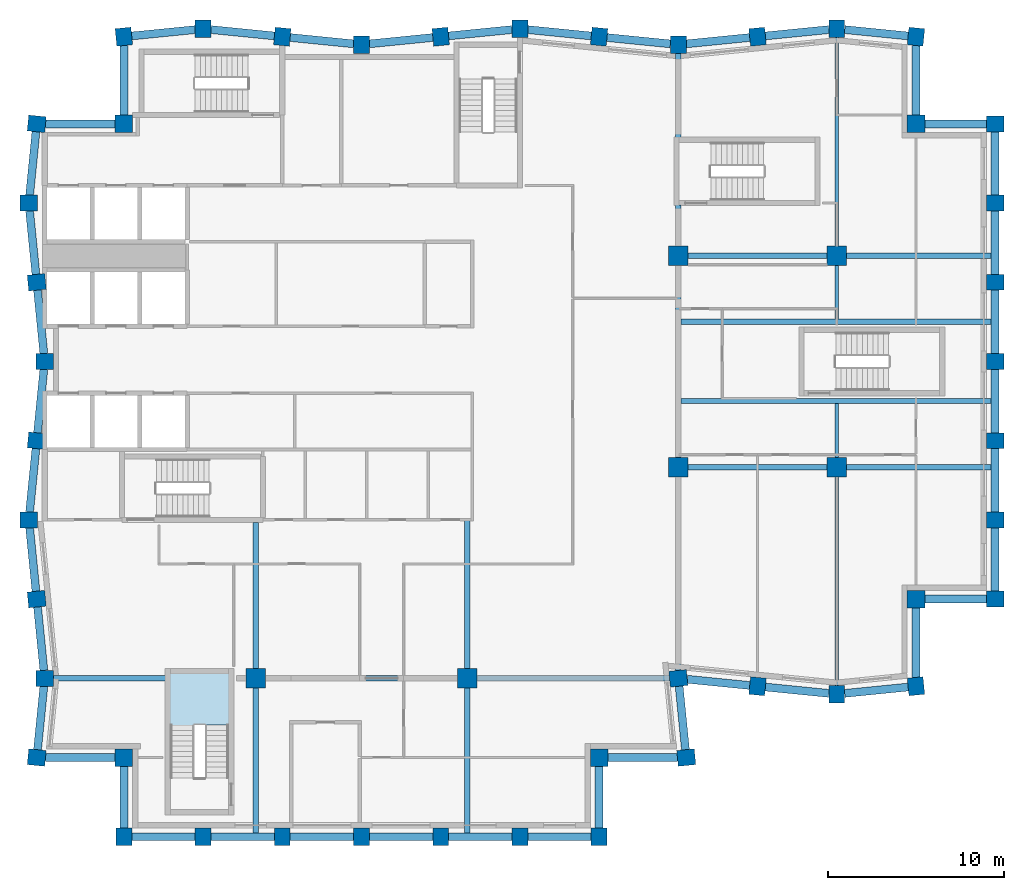
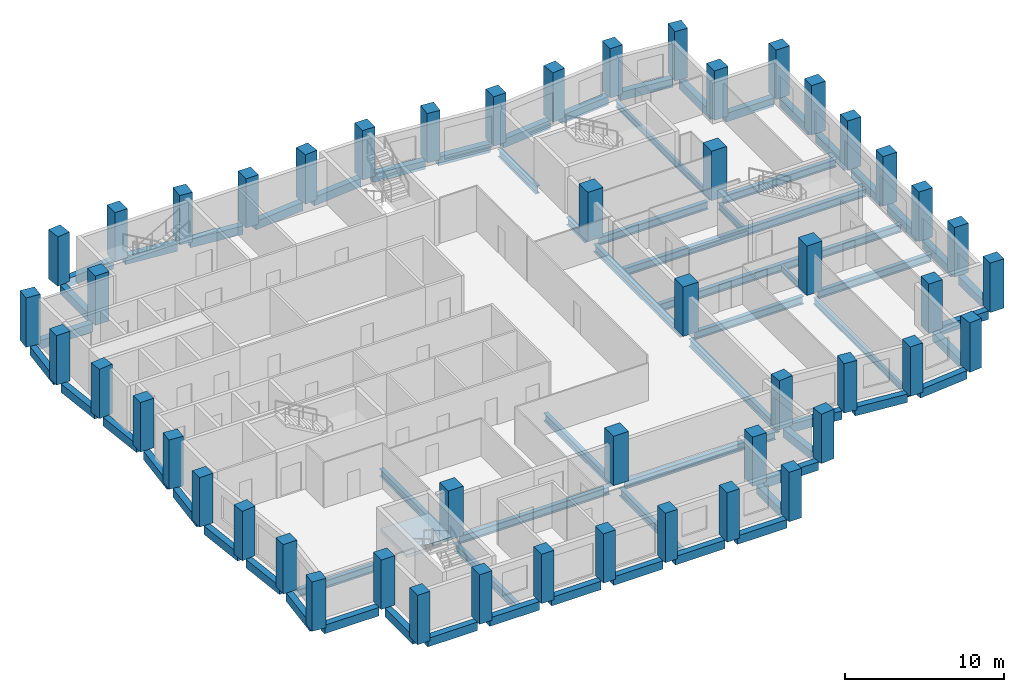
# One storey, part 1 of 8: 65 beams, 50 columns, 1 slab, 1 element without a shape of its own.
"""IFC4 building model written with IfcOpenShell, lengths in metres."""

from ifc_helpers import new_model, si_unit, direction, frame, origin, origin_2d, place, context, subcontext, project, spatial, polyline, rectangle, i_section, outline, extrude, material, layer, layer_set, material_profile, profile_set, type_object, element, aggregate, save


model = new_model("IFC4")

# Units and contexts
model_context = context("Model", 3, precision=1e-05, world=origin(), true_north=direction((0.0, 1.0)))
body_context = subcontext(model_context, "Body", "Model", "MODEL_VIEW")
ifc_project = project(units=[si_unit("LENGTHUNIT", "METRE"), si_unit("AREAUNIT", "SQUARE_METRE"), si_unit("VOLUMEUNIT", "CUBIC_METRE"), si_unit("PLANEANGLEUNIT", "RADIAN"), si_unit("MASSUNIT", "GRAM", prefix="KILO")], contexts=[model_context])

# Site, building, storey
site_placement = place(None, origin())
site = spatial("IfcSite", under=ifc_project, at=site_placement, CompositionType="ELEMENT")
building_placement = place(site_placement, origin())
building = spatial("IfcBuilding", under=site, at=building_placement, Name="Brondeck Convention Tower", CompositionType="ELEMENT")
storey_placement = place(building_placement, frame((0.0, 0.0, 221.60009765625)))
storey = spatial("IfcBuildingStorey", under=building, at=storey_placement, Name="L54", CompositionType="ELEMENT", Elevation=221.60009765625)

# Columns
ifc_material_1 = material(Name="Concrete C50/60", Category="concrete")
ifc_material_profile_1 = material_profile(ifc_material_1, rectangle(XDim=1.0, YDim=1.0, at=origin_2d()), Name="Corner column 1000x1000 Concrete C50/60")
ifc_profile_set_1 = profile_set([ifc_material_profile_1], Name="Concrete C50/60")
column_type_1 = type_object("IfcColumnType", Name="Corner column 1000x1000 Concrete C50/60", PredefinedType="COLUMN", material=ifc_profile_set_1)
for number, where, z_axis, x_axis, name in (
    (1, (4.5, 22.5, 0.0), (0.0, 0.0, 1.0), (1.0, 0.0, 0.0), "STR-COL-L54-NC-SWB18"),
    (2, (31.5, 22.5, 0.0), (0.0, 0.0, 1.0), (1.0, 0.0, 0.0), "STR-COL-L54-NC-SEB18"),
    (3, (49.5, 31.5, 0.0), (0.0, 0.0, 1.0), (1.0, 0.0, 0.0), "STR-COL-L54-NC-SEA54"),
    (4, (49.5, 58.5, 0.0), (0.0, 0.0, 1.0), (1.0, 0.0, 0.0), "STR-COL-L54-NC-NEA54"),
    (5, (4.5, 58.5, 0.0), (0.0, 0.0, 1.0), (1.0, 0.0, 0.0), "STR-COL-L54-NC-NW"),
):
    element("IfcColumn", number, at=place(storey_placement, frame(where, z_axis=z_axis, x_axis=x_axis)), inside=storey, type_object=column_type_1, Name=name, PredefinedType="COLUMN", context=body_context, shape_type="SweptSolid", body=[
        extrude(rectangle(XDim=1.0, YDim=1.0, at=origin_2d()), origin(), (0.0, 0.0, 1.0), 3.7998046875),
    ])
ifc_material_profile_2 = material_profile(ifc_material_1, rectangle(XDim=1.10009765625, YDim=1.10009765625, at=origin_2d()), Name="Interior column 1100x1100 Concrete C50/60")
ifc_profile_set_2 = profile_set([ifc_material_profile_2], Name="Concrete C50/60")
column_type_2 = type_object("IfcColumnType", Name="Interior column 1100x1100 Concrete C50/60", PredefinedType="COLUMN", material=ifc_profile_set_2)
for number, where, z_axis, x_axis, name in (
    (6, (12.0, 27.0, 0.0), (0.0, 0.0, 1.0), (1.0, 0.0, 0.0), "STR-COL-L54-IC-03"),
    (7, (24.0, 27.0, 0.0), (0.0, 0.0, 1.0), (1.0, 0.0, 0.0), "STR-COL-L54-IC-06"),
    (8, (36.0, 39.0, 0.0), (0.0, 0.0, 1.0), (1.0, 0.0, 0.0), "STR-COL-L54-IC-07"),
    (9, (36.0, 51.0, 0.0), (0.0, 0.0, 1.0), (1.0, 0.0, 0.0), "STR-COL-L54-IC-08"),
    (10, (45.0, 39.0, 0.0), (0.0, 0.0, 1.0), (1.0, 0.0, 0.0), "STR-COL-L54-IC-09"),
    (11, (45.0, 51.0, 0.0), (0.0, 0.0, 1.0), (1.0, 0.0, 0.0), "STR-COL-L54-IC-10"),
):
    element("IfcColumn", number, at=place(storey_placement, frame(where, z_axis=z_axis, x_axis=x_axis)), inside=storey, type_object=column_type_2, Name=name, PredefinedType="COLUMN", context=body_context, shape_type="SweptSolid", body=[
        extrude(rectangle(XDim=1.10009765625, YDim=1.10009765625, at=origin_2d()), origin(), (0.0, 0.0, 1.0), 3.7998046875),
    ])
ifc_material_profile_3 = material_profile(ifc_material_1, rectangle(XDim=0.89990234375, YDim=1.0, at=origin_2d()), Name="Perimeter pier 900x1000 Concrete C50/60")
ifc_profile_set_3 = profile_set([ifc_material_profile_3], Name="Concrete C50/60")
column_type_3 = type_object("IfcColumnType", Name="Perimeter pier 900x1000 Concrete C50/60", PredefinedType="COLUMN", material=ifc_profile_set_3)
for number, where, z_axis, x_axis, name in (
    (12, (4.5, 18.0, 0.0), (0.0, 0.0, 1.0), (1.0, 0.0, 0.0), "STR-COL-L54-PC-B-S18-01"),
    (13, (9.0, 18.0, 0.0), (0.0, 0.0, 1.0), (1.0, 0.0, 0.0), "STR-COL-L54-PC-B-S18-02"),
    (14, (13.5, 18.0, 0.0), (0.0, 0.0, 1.0), (1.0, 0.0, 0.0), "STR-COL-L54-PC-B-S18-03"),
    (15, (18.0, 18.0, 0.0), (0.0, 0.0, 1.0), (1.0, 0.0, 0.0), "STR-COL-L54-PC-B-S18-04"),
    (16, (22.5, 18.0, 0.0), (0.0, 0.0, 1.0), (1.0, 0.0, 0.0), "STR-COL-L54-PC-B-S18-05"),
    (17, (27.0, 18.0, 0.0), (0.0, 0.0, 1.0), (1.0, 0.0, 0.0), "STR-COL-L54-PC-B-S18-06"),
    (18, (31.5, 18.0, 0.0), (0.0, 0.0, 1.0), (1.0, 0.0, 0.0), "STR-COL-L54-PC-B-S18-07"),
    (19, (36.449951171875, 22.5, 0.0), (0.0, 0.0, 1.0), (-0.0995038382, 0.995037178292, 0.0), "STR-COL-L54-PC-B-E-01"),
    (20, (36.0, 27.0, 0.0), (0.0, 0.0, 1.0), (-0.0995038382, 0.995037178292, 0.0), "STR-COL-L54-PC-B-E-00"),
    (21, (40.5, 26.550048828125, 0.0), (0.0, 0.0, 1.0), (0.995037178292, -0.0995038382, 0.0), "STR-COL-L54-PC-A-S-01"),
    (22, (45.0, 26.10009765625, 0.0), (0.0, 0.0, 1.0), (1.0, 0.0, 0.0), "STR-COL-L54-PC-A-S-02"),
    (23, (49.5, 26.550048828125, 0.0), (0.0, 0.0, 1.0), (0.995037178292, 0.0995038382, 0.0), "STR-COL-L54-PC-A-S-03"),
    (24, (54.0, 31.5, 0.0), (0.0, 0.0, 1.0), (0.0, 1.0, 0.0), "STR-COL-L54-PC-A-E54-01"),
    (25, (54.0, 36.0, 0.0), (0.0, 0.0, 1.0), (0.0, 1.0, 0.0), "STR-COL-L54-PC-A-E54-02"),
    (26, (54.0, 40.5, 0.0), (0.0, 0.0, 1.0), (0.0, 1.0, 0.0), "STR-COL-L54-PC-A-E54-03"),
    (27, (54.0, 45.0, 0.0), (0.0, 0.0, 1.0), (0.0, 1.0, 0.0), "STR-COL-L54-PC-A-E54-04"),
    (28, (54.0, 49.5, 0.0), (0.0, 0.0, 1.0), (0.0, 1.0, 0.0), "STR-COL-L54-PC-A-E54-05"),
    (29, (54.0, 54.0, 0.0), (0.0, 0.0, 1.0), (0.0, 1.0, 0.0), "STR-COL-L54-PC-A-E54-06"),
    (30, (54.0, 58.5, 0.0), (0.0, 0.0, 1.0), (0.0, 1.0, 0.0), "STR-COL-L54-PC-A-E54-07"),
    (31, (49.5, 63.449951171875, 0.0), (0.0, 0.0, 1.0), (-0.995037178292, 0.0995038382, 0.0), "STR-COL-L54-PC-A-N-11"),
    (32, (45.0, 63.89990234375, 0.0), (0.0, 0.0, 1.0), (-1.0, 0.0, 0.0), "STR-COL-L54-PC-A-N-10"),
    (33, (40.5, 63.449951171875, 0.0), (0.0, 0.0, 1.0), (-0.995037178292, -0.0995038382, 0.0), "STR-COL-L54-PC-A-N-09"),
    (34, (36.0, 63.0, 0.0), (0.0, 0.0, 1.0), (-1.0, 0.0, 0.0), "STR-COL-L54-PC-A-N-08"),
    (35, (31.5, 63.449951171875, 0.0), (0.0, 0.0, 1.0), (-0.995037178292, 0.0995038382, 0.0), "STR-COL-L54-PC-A-N-07"),
    (36, (27.0, 63.89990234375, 0.0), (0.0, 0.0, 1.0), (-1.0, 0.0, 0.0), "STR-COL-L54-PC-A-N-06"),
    (37, (22.5, 63.449951171875, 0.0), (0.0, 0.0, 1.0), (-0.995037178292, -0.0995038382, 0.0), "STR-COL-L54-PC-A-N-05"),
    (38, (18.0, 63.0, 0.0), (0.0, 0.0, 1.0), (-1.0, 0.0, 0.0), "STR-COL-L54-PC-A-N-04"),
    (39, (13.5, 63.449951171875, 0.0), (0.0, 0.0, 1.0), (-0.995037178292, 0.0995038382, 0.0), "STR-COL-L54-PC-A-N-03"),
    (40, (9.0, 63.89990234375, 0.0), (0.0, 0.0, 1.0), (-1.0, 0.0, 0.0), "STR-COL-L54-PC-A-N-02"),
    (41, (4.5, 63.449951171875, 0.0), (0.0, 0.0, 1.0), (-0.995037178292, -0.0995038382, 0.0), "STR-COL-L54-PC-A-N-01"),
    (42, (-0.449951171875, 58.5, 0.0), (0.0, 0.0, 1.0), (-0.0995038382, -0.995037178292, 0.0), "STR-COL-L54-PC-B-W-01"),
    (43, (-0.89990234375, 54.0, 0.0), (0.0, 0.0, 1.0), (0.0, -1.0, 0.0), "STR-COL-L54-PC-B-W-02"),
    (44, (-0.449951171875, 49.5, 0.0), (0.0, 0.0, 1.0), (0.0995038382, -0.995037178292, 0.0), "STR-COL-L54-PC-B-W-03"),
    (45, (0.0, 45.0, 0.0), (0.0, 0.0, 1.0), (0.0, -1.0, 0.0), "STR-COL-L54-PC-B-W-04"),
    (46, (-0.449951171875, 40.5, 0.0), (0.0, 0.0, 1.0), (-0.0995038382, -0.995037178292, 0.0), "STR-COL-L54-PC-B-W-05"),
    (47, (-0.89990234375, 36.0, 0.0), (0.0, 0.0, 1.0), (0.0, -1.0, 0.0), "STR-COL-L54-PC-B-W-06"),
    (48, (-0.449951171875, 31.5, 0.0), (0.0, 0.0, 1.0), (0.0995038382, -0.995037178292, 0.0), "STR-COL-L54-PC-B-W-07"),
    (49, (0.0, 27.0, 0.0), (0.0, 0.0, 1.0), (0.0, -1.0, 0.0), "STR-COL-L54-PC-B-W-08"),
    (50, (-0.449951171875, 22.5, 0.0), (0.0, 0.0, 1.0), (-0.0995038382, -0.995037178292, 0.0), "STR-COL-L54-PC-B-W-09"),
):
    element("IfcColumn", number, at=place(storey_placement, frame(where, z_axis=z_axis, x_axis=x_axis)), inside=storey, type_object=column_type_3, Name=name, PredefinedType="COLUMN", context=body_context, shape_type="SweptSolid", body=[
        extrude(rectangle(XDim=0.89990234375, YDim=1.0, at=origin_2d()), origin(), (0.0, 0.0, 1.0), 3.7998046875),
    ])

# Beams
ifc_material_2 = material(Name="Steel S355", Category="steel")
ifc_material_profile_4 = material_profile(ifc_material_2, i_section(OverallWidth=0.199951171875, OverallDepth=0.5, WebThickness=0.01025390625, FlangeThickness=0.01611328125, FilletRadius=0.02099609375, at=origin_2d()), Name="IPE 500")
ifc_profile_set_4 = profile_set([ifc_material_profile_4], Name="Steel S355")
beam_type_1 = type_object("IfcBeamType", Name="Floor beam IPE 500", PredefinedType="BEAM", material=ifc_profile_set_4)
for number, where, z_axis, x_axis, name in (
    (51, (45.0, 26.60009765625, -0.550048828125), (0.0, 1.0, 0.0), (-1.0, 0.0, 0.0), "STR-FB-L54-001"),
    (52, (45.0, 51.550048828125, -0.550048828125), (0.0, 1.0, 0.0), (-1.0, 0.0, 0.0), "STR-FB-L54-002"),
):
    element("IfcBeam", number, at=place(storey_placement, frame(where, z_axis=z_axis, x_axis=x_axis)), inside=storey, type_object=beam_type_1, Name=name, PredefinedType="BEAM", context=body_context, shape_type="SweptSolid", body=[
        extrude(i_section(OverallWidth=0.199951171875, OverallDepth=0.5, WebThickness=0.01025390625, FlangeThickness=0.01611328125, FilletRadius=0.02099609375, at=origin_2d()), origin(), (0.0, 0.0, 1.0), 11.849853515625),
    ])
for number, where, z_axis, x_axis, name in (
    (53, (45.0, 39.550048828125, -0.550048828125), (0.0, 1.0, 0.0), (-1.0, 0.0, 0.0), "STR-FB-L54-003"),
    (54, (45.0, 47.39990234375, -0.550048828125), (0.0, 1.0, 0.0), (-1.0, 0.0, 0.0), "STR-FB-L54-004"),
):
    element("IfcBeam", number, at=place(storey_placement, frame(where, z_axis=z_axis, x_axis=x_axis)), inside=storey, type_object=beam_type_1, Name=name, PredefinedType="BEAM", context=body_context, shape_type="SweptSolid", body=[
        extrude(i_section(OverallWidth=0.199951171875, OverallDepth=0.5, WebThickness=0.01025390625, FlangeThickness=0.01611328125, FilletRadius=0.02099609375, at=origin_2d()), origin(), (0.0, 0.0, 1.0), 3.050048828125),
    ])
ifc_material_profile_5 = material_profile(ifc_material_2, i_section(OverallWidth=0.300048828125, OverallDepth=0.60009765625, WebThickness=0.015380859375, FlangeThickness=0.030029296875, FilletRadius=0.027099609375, at=origin_2d()), Name="HEB 600")
ifc_profile_set_5 = profile_set([ifc_material_profile_5], Name="Steel S355")
beam_type_2 = type_object("IfcBeamType", Name="Girder HEB 600", PredefinedType="BEAM", material=ifc_profile_set_5)
beam_1_placement = place(storey_placement, frame((36.550048828125, 39.0, -0.60009765625), z_axis=(1.0, 0.0, 0.0), x_axis=(0.0, 1.0, 0.0)))
element("IfcBeam", 55, at=beam_1_placement, inside=storey, type_object=beam_type_2, Name="STR-GR-L54-001", PredefinedType="BEAM", context=body_context, shape_type="SweptSolid", body=[
    extrude(i_section(OverallWidth=0.300048828125, OverallDepth=0.60009765625, WebThickness=0.015380859375, FlangeThickness=0.030029296875, FilletRadius=0.027099609375, at=origin_2d()), origin(), (0.0, 0.0, 1.0), 7.89990234375),
])
beam_2_placement = place(storey_placement, frame((45.550048828125, 39.0, -0.60009765625), z_axis=(1.0, 0.0, 0.0), x_axis=(0.0, 1.0, 0.0)))
element("IfcBeam", 56, at=beam_2_placement, inside=storey, type_object=beam_type_2, Name="STR-GR-L54-002", PredefinedType="BEAM", context=body_context, shape_type="SweptSolid", body=[
    extrude(i_section(OverallWidth=0.300048828125, OverallDepth=0.60009765625, WebThickness=0.015380859375, FlangeThickness=0.030029296875, FilletRadius=0.027099609375, at=origin_2d()), origin(), (0.0, 0.0, 1.0), 8.224853515625),
])
beam_3_placement = place(storey_placement, frame((36.550048828125, 51.0, -0.60009765625), z_axis=(1.0, 0.0, 0.0), x_axis=(0.0, 1.0, 0.0)))
element("IfcBeam", 57, at=beam_3_placement, inside=storey, type_object=beam_type_2, Name="STR-GR-L54-003", PredefinedType="BEAM", context=body_context, shape_type="SweptSolid", body=[
    extrude(i_section(OverallWidth=0.300048828125, OverallDepth=0.60009765625, WebThickness=0.015380859375, FlangeThickness=0.030029296875, FilletRadius=0.027099609375, at=origin_2d()), origin(), (0.0, 0.0, 1.0), 7.89990234375),
])
beam_4_placement = place(storey_placement, frame((45.550048828125, 51.0, -0.60009765625), z_axis=(1.0, 0.0, 0.0), x_axis=(0.0, 1.0, 0.0)))
element("IfcBeam", 58, at=beam_4_placement, inside=storey, type_object=beam_type_2, Name="STR-GR-L54-004", PredefinedType="BEAM", context=body_context, shape_type="SweptSolid", body=[
    extrude(i_section(OverallWidth=0.300048828125, OverallDepth=0.60009765625, WebThickness=0.015380859375, FlangeThickness=0.030029296875, FilletRadius=0.027099609375, at=origin_2d()), origin(), (0.0, 0.0, 1.0), 8.224853515625),
])
beam_5_placement = place(storey_placement, frame((36.0, 27.4521484375, -0.60009765625), z_axis=(0.0, 1.0, 0.0), x_axis=(-1.0, 0.0, 0.0)))
element("IfcBeam", 59, at=beam_5_placement, inside=storey, type_object=beam_type_2, Name="STR-GR-L54-005", PredefinedType="BEAM", context=body_context, shape_type="SweptSolid", body=[
    extrude(i_section(OverallWidth=0.300048828125, OverallDepth=0.60009765625, WebThickness=0.015380859375, FlangeThickness=0.030029296875, FilletRadius=0.027099609375, at=origin_2d()), origin(), (0.0, 0.0, 1.0), 10.997802734375),
])
beam_6_placement = place(storey_placement, frame((36.0, 39.550048828125, -0.60009765625), z_axis=(0.0, 1.0, 0.0), x_axis=(-1.0, 0.0, 0.0)))
element("IfcBeam", 60, at=beam_6_placement, inside=storey, type_object=beam_type_2, Name="STR-GR-L54-006", PredefinedType="BEAM", context=body_context, shape_type="SweptSolid", body=[
    extrude(i_section(OverallWidth=0.300048828125, OverallDepth=0.60009765625, WebThickness=0.015380859375, FlangeThickness=0.030029296875, FilletRadius=0.027099609375, at=origin_2d()), origin(), (0.0, 0.0, 1.0), 10.89990234375),
])
beam_7_placement = place(storey_placement, frame((36.0, 51.550048828125, -0.60009765625), z_axis=(0.0, 1.0, 0.0), x_axis=(-1.0, 0.0, 0.0)))
element("IfcBeam", 61, at=beam_7_placement, inside=storey, type_object=beam_type_2, Name="STR-GR-L54-007", PredefinedType="BEAM", context=body_context, shape_type="SweptSolid", body=[
    extrude(i_section(OverallWidth=0.300048828125, OverallDepth=0.60009765625, WebThickness=0.015380859375, FlangeThickness=0.030029296875, FilletRadius=0.027099609375, at=origin_2d()), origin(), (0.0, 0.0, 1.0), 2.329833984375),
])
beam_8_placement = place(storey_placement, frame((36.0, 57.719970703125, -0.60009765625), z_axis=(0.0, 1.0, 0.0), x_axis=(-1.0, 0.0, 0.0)))
element("IfcBeam", 62, at=beam_8_placement, inside=storey, type_object=beam_type_2, Name="STR-GR-L54-008", PredefinedType="BEAM", context=body_context, shape_type="SweptSolid", body=[
    extrude(i_section(OverallWidth=0.300048828125, OverallDepth=0.60009765625, WebThickness=0.015380859375, FlangeThickness=0.030029296875, FilletRadius=0.027099609375, at=origin_2d()), origin(), (0.0, 0.0, 1.0), 4.780029296875),
])
beam_9_placement = place(storey_placement, frame((12.0, 35.85009765625, -0.60009765625), z_axis=(0.0, -1.0, 0.0), x_axis=(1.0, 0.0, 0.0)))
element("IfcBeam", 63, at=beam_9_placement, inside=storey, type_object=beam_type_2, Name="STR-GR-L54-009", PredefinedType="BEAM", context=body_context, shape_type="SweptSolid", body=[
    extrude(i_section(OverallWidth=0.300048828125, OverallDepth=0.60009765625, WebThickness=0.015380859375, FlangeThickness=0.030029296875, FilletRadius=0.027099609375, at=origin_2d()), origin(), (0.0, 0.0, 1.0), 8.300048828125),
])
beam_10_placement = place(storey_placement, frame((12.0, 26.449951171875, -0.60009765625), z_axis=(0.0, -1.0, 0.0), x_axis=(1.0, 0.0, 0.0)))
element("IfcBeam", 64, at=beam_10_placement, inside=storey, type_object=beam_type_2, Name="STR-GR-L54-010", PredefinedType="BEAM", context=body_context, shape_type="SweptSolid", body=[
    extrude(i_section(OverallWidth=0.300048828125, OverallDepth=0.60009765625, WebThickness=0.015380859375, FlangeThickness=0.030029296875, FilletRadius=0.027099609375, at=origin_2d()), origin(), (0.0, 0.0, 1.0), 8.224853515625),
])
beam_11_placement = place(storey_placement, frame((24.0, 35.955078125, -0.60009765625), z_axis=(0.0, -1.0, 0.0), x_axis=(1.0, 0.0, 0.0)))
element("IfcBeam", 65, at=beam_11_placement, inside=storey, type_object=beam_type_2, Name="STR-GR-L54-011", PredefinedType="BEAM", context=body_context, shape_type="SweptSolid", body=[
    extrude(i_section(OverallWidth=0.300048828125, OverallDepth=0.60009765625, WebThickness=0.015380859375, FlangeThickness=0.030029296875, FilletRadius=0.027099609375, at=origin_2d()), origin(), (0.0, 0.0, 1.0), 8.405029296875),
])
beam_12_placement = place(storey_placement, frame((24.0, 26.449951171875, -0.60009765625), z_axis=(0.0, -1.0, 0.0), x_axis=(1.0, 0.0, 0.0)))
element("IfcBeam", 66, at=beam_12_placement, inside=storey, type_object=beam_type_2, Name="STR-GR-L54-012", PredefinedType="BEAM", context=body_context, shape_type="SweptSolid", body=[
    extrude(i_section(OverallWidth=0.300048828125, OverallDepth=0.60009765625, WebThickness=0.015380859375, FlangeThickness=0.030029296875, FilletRadius=0.027099609375, at=origin_2d()), origin(), (0.0, 0.0, 1.0), 8.224853515625),
])
beam_13_placement = place(storey_placement, frame((0.5, 27.0, -0.60009765625), z_axis=(1.0, 0.0, 0.0), x_axis=(0.0, 1.0, 0.0)))
element("IfcBeam", 67, at=beam_13_placement, inside=storey, type_object=beam_type_2, Name="STR-GR-L54-013", PredefinedType="BEAM", context=body_context, shape_type="SweptSolid", body=[
    extrude(i_section(OverallWidth=0.300048828125, OverallDepth=0.60009765625, WebThickness=0.015380859375, FlangeThickness=0.030029296875, FilletRadius=0.027099609375, at=origin_2d()), origin(), (0.0, 0.0, 1.0), 6.3798828125),
])
beam_14_placement = place(storey_placement, frame((12.550048828125, 27.0, -0.60009765625), z_axis=(1.0, 0.0, 0.0), x_axis=(0.0, 1.0, 0.0)))
element("IfcBeam", 68, at=beam_14_placement, inside=storey, type_object=beam_type_2, Name="STR-GR-L54-014", PredefinedType="BEAM", context=body_context, shape_type="SweptSolid", body=[
    extrude(i_section(OverallWidth=0.300048828125, OverallDepth=0.60009765625, WebThickness=0.015380859375, FlangeThickness=0.030029296875, FilletRadius=0.027099609375, at=origin_2d()), origin(), (0.0, 0.0, 1.0), 10.89990234375),
])
beam_15_placement = place(storey_placement, frame((24.550048828125, 27.0, -0.60009765625), z_axis=(1.0, 0.0, 0.0), x_axis=(0.0, 1.0, 0.0)))
element("IfcBeam", 69, at=beam_15_placement, inside=storey, type_object=beam_type_2, Name="STR-GR-L54-015", PredefinedType="BEAM", context=body_context, shape_type="SweptSolid", body=[
    extrude(i_section(OverallWidth=0.300048828125, OverallDepth=0.60009765625, WebThickness=0.015380859375, FlangeThickness=0.030029296875, FilletRadius=0.027099609375, at=origin_2d()), origin(), (0.0, 0.0, 1.0), 10.947509765625),
])
for number, where, z_axis, x_axis, name in (
    (70, (36.14990234375, 42.75, -0.60009765625), (1.0, 0.0, 0.0), (0.0, 1.0, 0.0), "STR-GR-L54-016"),
    (71, (36.14990234375, 47.25, -0.60009765625), (1.0, 0.0, 0.0), (0.0, 1.0, 0.0), "STR-GR-L54-017"),
):
    element("IfcBeam", number, at=place(storey_placement, frame(where, z_axis=z_axis, x_axis=x_axis)), inside=storey, type_object=beam_type_2, Name=name, PredefinedType="BEAM", context=body_context, shape_type="SweptSolid", body=[
        extrude(i_section(OverallWidth=0.300048828125, OverallDepth=0.60009765625, WebThickness=0.015380859375, FlangeThickness=0.030029296875, FilletRadius=0.027099609375, at=origin_2d()), origin(), (0.0, 0.0, 1.0), 17.625),
    ])
ifc_material_profile_6 = material_profile(ifc_material_1, rectangle(XDim=0.449951171875, YDim=0.64990234375, at=origin_2d()), Name="Precast spandrel 450x650 Concrete C50/60")
ifc_profile_set_6 = profile_set([ifc_material_profile_6], Name="Concrete C50/60")
beam_type_3 = type_object("IfcBeamType", Name="Precast spandrel 450x650 Concrete C50/60", PredefinedType="SPANDREL", material=ifc_profile_set_6)
for number, where, z_axis, x_axis, name in (
    (72, (4.949951171875, 18.0, -0.3251953125), (1.0, 0.0, 0.0), (0.0, 1.0, 0.0), "STR-SP-L54-001"),
    (73, (9.449951171875, 18.0, -0.3251953125), (1.0, 0.0, 0.0), (0.0, 1.0, 0.0), "STR-SP-L54-002"),
    (74, (13.949951171875, 18.0, -0.3251953125), (1.0, 0.0, 0.0), (0.0, 1.0, 0.0), "STR-SP-L54-003"),
    (75, (18.449951171875, 18.0, -0.3251953125), (1.0, 0.0, 0.0), (0.0, 1.0, 0.0), "STR-SP-L54-004"),
    (76, (22.949951171875, 18.0, -0.3251953125), (1.0, 0.0, 0.0), (0.0, 1.0, 0.0), "STR-SP-L54-005"),
    (77, (27.449951171875, 18.0, -0.3251953125), (1.0, 0.0, 0.0), (0.0, 1.0, 0.0), "STR-SP-L54-006"),
):
    element("IfcBeam", number, at=place(storey_placement, frame(where, z_axis=z_axis, x_axis=x_axis)), inside=storey, type_object=beam_type_3, Name=name, PredefinedType="SPANDREL", context=body_context, shape_type="SweptSolid", body=[
        extrude(rectangle(XDim=0.449951171875, YDim=0.64990234375, at=origin_2d()), origin(), (0.0, 0.0, 1.0), 3.60009765625),
    ])
beam_16_placement = place(storey_placement, frame((31.5, 18.5, -0.3251953125), z_axis=(0.0, 1.0, 0.0), x_axis=(-1.0, 0.0, 0.0)))
element("IfcBeam", 78, at=beam_16_placement, inside=storey, type_object=beam_type_3, Name="STR-SP-L54-007", PredefinedType="SPANDREL", context=body_context, shape_type="SweptSolid", body=[
    extrude(rectangle(XDim=0.449951171875, YDim=0.64990234375, at=origin_2d()), origin(), (0.0, 0.0, 1.0), 3.5),
])
beam_17_placement = place(storey_placement, frame((32.0, 22.5, -0.3251953125), z_axis=(1.0, 0.0, 0.0), x_axis=(0.0, 1.0, 0.0)))
element("IfcBeam", 79, at=beam_17_placement, inside=storey, type_object=beam_type_3, Name="STR-SP-L54-008", PredefinedType="SPANDREL", context=body_context, shape_type="SweptSolid", body=[
    extrude(rectangle(XDim=0.449951171875, YDim=0.64990234375, at=origin_2d()), origin(), (0.0, 0.0, 1.0), 3.947509765625),
])
beam_18_placement = place(storey_placement, frame((36.4052734375, 22.94775390625, -0.3251953125), z_axis=(-0.099543756114, 0.995033185687, 0.0), x_axis=(-0.995033185687, -0.099543756114, 0.0)))
element("IfcBeam", 80, at=beam_18_placement, inside=storey, type_object=beam_type_3, Name="STR-SP-L54-009", PredefinedType="SPANDREL", context=body_context, shape_type="SweptSolid", body=[
    extrude(rectangle(XDim=0.449951171875, YDim=0.64990234375, at=origin_2d()), origin(), (0.0, 0.0, 1.0), 3.62255859375),
])
beam_19_placement = place(storey_placement, frame((36.507568359375, 26.94921875, -0.3251953125), z_axis=(0.995036511638, -0.099510504504, 0.0), x_axis=(0.099510504504, 0.995036511638, 0.0)))
element("IfcBeam", 81, at=beam_19_placement, inside=storey, type_object=beam_type_3, Name="STR-SP-L54-010", PredefinedType="SPANDREL", context=body_context, shape_type="SweptSolid", body=[
    extrude(rectangle(XDim=0.449951171875, YDim=0.64990234375, at=origin_2d()), origin(), (0.0, 0.0, 1.0), 3.562255859375),
])
for number, where, z_axis, x_axis, name in (
    (82, (40.94775390625, 26.505126953125, -0.3251953125), (0.995040528141, -0.099470334057, 0.0), (0.099470334057, 0.995040528141, 0.0), "STR-SP-L54-011"),
    (83, (45.449951171875, 26.14501953125, -0.3251953125), (0.995040528141, 0.099470334057, 0.0), (-0.099470334057, 0.995040528141, 0.0), "STR-SP-L54-012"),
):
    element("IfcBeam", number, at=place(storey_placement, frame(where, z_axis=z_axis, x_axis=x_axis)), inside=storey, type_object=beam_type_3, Name=name, PredefinedType="SPANDREL", context=body_context, shape_type="SweptSolid", body=[
        extrude(rectangle(XDim=0.449951171875, YDim=0.64990234375, at=origin_2d()), origin(), (0.0, 0.0, 1.0), 3.620361328125),
    ])
beam_20_placement = place(storey_placement, frame((49.5, 27.052490234375, -0.3251953125), z_axis=(0.0, 1.0, 0.0), x_axis=(-1.0, 0.0, 0.0)))
element("IfcBeam", 84, at=beam_20_placement, inside=storey, type_object=beam_type_3, Name="STR-SP-L54-013", PredefinedType="SPANDREL", context=body_context, shape_type="SweptSolid", body=[
    extrude(rectangle(XDim=0.449951171875, YDim=0.64990234375, at=origin_2d()), origin(), (0.0, 0.0, 1.0), 3.947509765625),
])
beam_21_placement = place(storey_placement, frame((50.0, 31.5, -0.3251953125), z_axis=(1.0, 0.0, 0.0), x_axis=(0.0, 1.0, 0.0)))
element("IfcBeam", 85, at=beam_21_placement, inside=storey, type_object=beam_type_3, Name="STR-SP-L54-014", PredefinedType="SPANDREL", context=body_context, shape_type="SweptSolid", body=[
    extrude(rectangle(XDim=0.449951171875, YDim=0.64990234375, at=origin_2d()), origin(), (0.0, 0.0, 1.0), 3.5),
])
for number, where, z_axis, x_axis, name in (
    (86, (54.0, 31.949951171875, -0.3251953125), (0.0, 1.0, 0.0), (-1.0, 0.0, 0.0), "STR-SP-L54-015"),
    (87, (54.0, 36.449951171875, -0.3251953125), (0.0, 1.0, 0.0), (-1.0, 0.0, 0.0), "STR-SP-L54-016"),
    (88, (54.0, 40.949951171875, -0.3251953125), (0.0, 1.0, 0.0), (-1.0, 0.0, 0.0), "STR-SP-L54-017"),
    (89, (54.0, 45.449951171875, -0.3251953125), (0.0, 1.0, 0.0), (-1.0, 0.0, 0.0), "STR-SP-L54-018"),
    (90, (54.0, 49.949951171875, -0.3251953125), (0.0, 1.0, 0.0), (-1.0, 0.0, 0.0), "STR-SP-L54-019"),
    (91, (54.0, 54.449951171875, -0.3251953125), (0.0, 1.0, 0.0), (-1.0, 0.0, 0.0), "STR-SP-L54-020"),
):
    element("IfcBeam", number, at=place(storey_placement, frame(where, z_axis=z_axis, x_axis=x_axis)), inside=storey, type_object=beam_type_3, Name=name, PredefinedType="SPANDREL", context=body_context, shape_type="SweptSolid", body=[
        extrude(rectangle(XDim=0.449951171875, YDim=0.64990234375, at=origin_2d()), origin(), (0.0, 0.0, 1.0), 3.60009765625),
    ])
beam_22_placement = place(storey_placement, frame((53.5, 58.5, -0.3251953125), z_axis=(-1.0, 0.0, 0.0), x_axis=(0.0, -1.0, 0.0)))
element("IfcBeam", 92, at=beam_22_placement, inside=storey, type_object=beam_type_3, Name="STR-SP-L54-021", PredefinedType="SPANDREL", context=body_context, shape_type="SweptSolid", body=[
    extrude(rectangle(XDim=0.449951171875, YDim=0.64990234375, at=origin_2d()), origin(), (0.0, 0.0, 1.0), 3.5),
])
beam_23_placement = place(storey_placement, frame((49.5, 59.0, -0.3251953125), z_axis=(0.0, 1.0, 0.0), x_axis=(-1.0, 0.0, 0.0)))
element("IfcBeam", 93, at=beam_23_placement, inside=storey, type_object=beam_type_3, Name="STR-SP-L54-022", PredefinedType="SPANDREL", context=body_context, shape_type="SweptSolid", body=[
    extrude(rectangle(XDim=0.449951171875, YDim=0.64990234375, at=origin_2d()), origin(), (0.0, 0.0, 1.0), 3.947509765625),
])
for number, where, z_axis, x_axis, name in (
    (94, (49.05224609375, 63.494873046875, -0.3251953125), (-0.995040528141, 0.099470334057, 0.0), (-0.099470334057, -0.995040528141, 0.0), "STR-SP-L54-023"),
    (95, (44.550048828125, 63.85498046875, -0.3251953125), (-0.995040528141, -0.099470334057, 0.0), (0.099470334057, -0.995040528141, 0.0), "STR-SP-L54-024"),
    (96, (40.05224609375, 63.4052734375, -0.3251953125), (-0.995033851182, -0.099537103649, 0.0), (0.099537103649, -0.995033851182, 0.0), "STR-SP-L54-025"),
    (97, (35.550048828125, 63.044921875, -0.3251953125), (-0.995033851182, 0.099537103649, 0.0), (-0.099537103649, -0.995033851182, 0.0), "STR-SP-L54-026"),
    (98, (31.05224609375, 63.494873046875, -0.3251953125), (-0.995040528141, 0.099470334057, 0.0), (-0.099470334057, -0.995040528141, 0.0), "STR-SP-L54-027"),
    (99, (26.550048828125, 63.85498046875, -0.3251953125), (-0.995040528141, -0.099470334057, 0.0), (0.099470334057, -0.995040528141, 0.0), "STR-SP-L54-028"),
    (100, (22.05224609375, 63.4052734375, -0.3251953125), (-0.995033851182, -0.099537103649, 0.0), (0.099537103649, -0.995033851182, 0.0), "STR-SP-L54-029"),
    (101, (17.550048828125, 63.044921875, -0.3251953125), (-0.995033851182, 0.099537103649, 0.0), (-0.099537103649, -0.995033851182, 0.0), "STR-SP-L54-030"),
    (102, (13.05224609375, 63.494873046875, -0.3251953125), (-0.995040528141, 0.099470334057, 0.0), (-0.099470334057, -0.995040528141, 0.0), "STR-SP-L54-031"),
    (103, (8.550048828125, 63.85498046875, -0.3251953125), (-0.995040528141, -0.099470334057, 0.0), (0.099470334057, -0.995040528141, 0.0), "STR-SP-L54-032"),
):
    element("IfcBeam", number, at=place(storey_placement, frame(where, z_axis=z_axis, x_axis=x_axis)), inside=storey, type_object=beam_type_3, Name=name, PredefinedType="SPANDREL", context=body_context, shape_type="SweptSolid", body=[
        extrude(rectangle(XDim=0.449951171875, YDim=0.64990234375, at=origin_2d()), origin(), (0.0, 0.0, 1.0), 3.620361328125),
    ])
for number, where, z_axis, x_axis, name in (
    (104, (4.5, 62.947509765625, -0.3251953125), (0.0, -1.0, 0.0), (1.0, 0.0, 0.0), "STR-SP-L54-033"),
    (105, (4.0, 58.5, -0.3251953125), (-1.0, 0.0, 0.0), (0.0, -1.0, 0.0), "STR-SP-L54-034"),
):
    element("IfcBeam", number, at=place(storey_placement, frame(where, z_axis=z_axis, x_axis=x_axis)), inside=storey, type_object=beam_type_3, Name=name, PredefinedType="SPANDREL", context=body_context, shape_type="SweptSolid", body=[
        extrude(rectangle(XDim=0.449951171875, YDim=0.64990234375, at=origin_2d()), origin(), (0.0, 0.0, 1.0), 3.947509765625),
    ])
for number, where, z_axis, x_axis, name in (
    (106, (-0.494873046875, 58.05224609375, -0.3251953125), (-0.099470334057, -0.995040528141, 0.0), (0.995040528141, -0.099470334057, 0.0), "STR-SP-L54-035"),
    (107, (-0.85498046875, 53.550048828125, -0.3251953125), (0.099470334057, -0.995040528141, 0.0), (0.995040528141, 0.099470334057, 0.0), "STR-SP-L54-036"),
    (108, (-0.4052734375, 49.05224609375, -0.3251953125), (0.099537103649, -0.995033851182, 0.0), (0.995033851182, 0.099537103649, 0.0), "STR-SP-L54-037"),
    (109, (-0.044921875, 44.550048828125, -0.3251953125), (-0.099537103649, -0.995033851182, 0.0), (0.995033851182, -0.099537103649, 0.0), "STR-SP-L54-038"),
    (110, (-0.494873046875, 40.05224609375, -0.3251953125), (-0.099470334057, -0.995040528141, 0.0), (0.995040528141, -0.099470334057, 0.0), "STR-SP-L54-039"),
    (111, (-0.85498046875, 35.550048828125, -0.3251953125), (0.099470334057, -0.995040528141, 0.0), (0.995040528141, 0.099470334057, 0.0), "STR-SP-L54-040"),
    (112, (-0.4052734375, 31.05224609375, -0.3251953125), (0.099537103649, -0.995033851182, 0.0), (0.995033851182, 0.099537103649, 0.0), "STR-SP-L54-041"),
    (113, (-0.044921875, 26.550048828125, -0.3251953125), (-0.099537103649, -0.995033851182, 0.0), (0.995033851182, -0.099537103649, 0.0), "STR-SP-L54-042"),
):
    element("IfcBeam", number, at=place(storey_placement, frame(where, z_axis=z_axis, x_axis=x_axis)), inside=storey, type_object=beam_type_3, Name=name, PredefinedType="SPANDREL", context=body_context, shape_type="SweptSolid", body=[
        extrude(rectangle(XDim=0.449951171875, YDim=0.64990234375, at=origin_2d()), origin(), (0.0, 0.0, 1.0), 3.620361328125),
    ])
beam_24_placement = place(storey_placement, frame((0.052490234375, 22.5, -0.3251953125), z_axis=(1.0, 0.0, 0.0), x_axis=(0.0, 1.0, 0.0)))
element("IfcBeam", 114, at=beam_24_placement, inside=storey, type_object=beam_type_3, Name="STR-SP-L54-043", PredefinedType="SPANDREL", context=body_context, shape_type="SweptSolid", body=[
    extrude(rectangle(XDim=0.449951171875, YDim=0.64990234375, at=origin_2d()), origin(), (0.0, 0.0, 1.0), 3.947509765625),
])
beam_25_placement = place(storey_placement, frame((4.5, 22.0, -0.3251953125), z_axis=(0.0, -1.0, 0.0), x_axis=(1.0, 0.0, 0.0)))
element("IfcBeam", 115, at=beam_25_placement, inside=storey, type_object=beam_type_3, Name="STR-SP-L54-044", PredefinedType="SPANDREL", context=body_context, shape_type="SweptSolid", body=[
    extrude(rectangle(XDim=0.449951171875, YDim=0.64990234375, at=origin_2d()), origin(), (0.0, 0.0, 1.0), 3.5),
])

# Stair, slab
ifc_material_3 = material(Name="Precast concrete C50/60", Category="concrete")
stair_type = type_object("IfcStairType", Name="Core stair 22 risers 172.73 mm riser 300 mm going 1350 wide", PredefinedType="HALF_TURN_STAIR", material=ifc_material_3)
stair_placement = place(storey_placement, origin())
stair = element("IfcStair", 116, at=stair_placement, inside=storey, type_object=stair_type, Name="ST-BE L54 stair", PredefinedType="HALF_TURN_STAIR")
ifc_layer = layer(ifc_material_3, 0.25)
ifc_layer_set = layer_set([ifc_layer], Name="Core stair landing 250 Precast concrete C50/60")
slab_type = type_object("IfcSlabType", Name="Core stair landing 250 Precast concrete C50/60", PredefinedType="LANDING", material=ifc_layer_set)
slab_placement = place(storey_placement, frame((0.0, 0.0, 1.64990234375)))
slab = element("IfcSlab", 117, at=slab_placement, type_object=slab_type, Name="ST-BE landing 1", PredefinedType="LANDING", context=body_context, shape_type="SweptSolid", body=[
    extrude(outline(polyline([(7.030029296875, 24.050048828125), (7.030029296875, 27.3701171875), (10.570068359375, 27.3701171875), (10.570068359375, 24.347900390625), (9.10009765625, 24.347900390625), (9.10009765625, 24.35009765625), (8.5, 24.35009765625), (8.5, 24.050048828125), (7.030029296875, 24.050048828125)])), origin(), (0.0, 0.0, 1.0), 0.25),
])
aggregate(stair, [slab])

save(model, "model.ifc")
